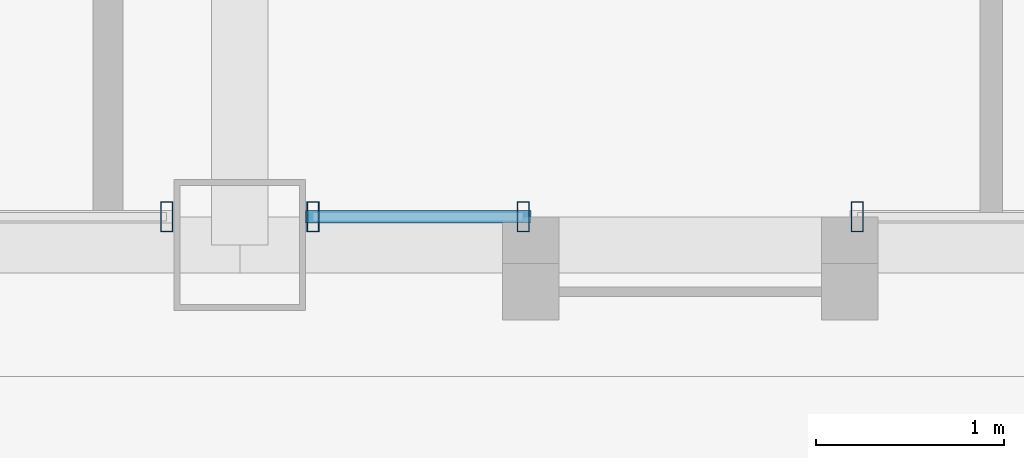
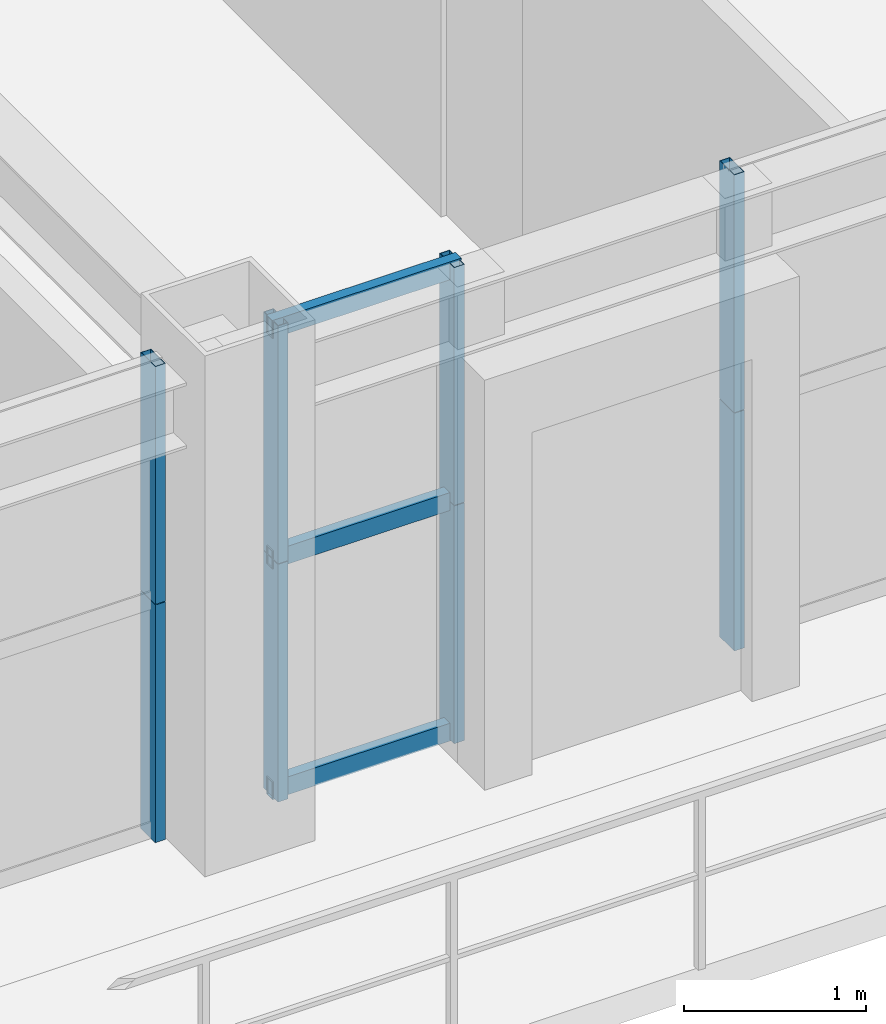
# One storey, part 10 of 36: 11 members, 3 elements without a shape of their own.
"""IFC4 building model written with IfcOpenShell, lengths in metres."""

import ifcopenshell
import ifcopenshell.guid

model = None  # the IFC model being written
_history = None  # IfcOwnerHistory: only IFC2X3 demands one
_inside = {}  # id of a spatial element -> (the spatial element, [elements in it])
_under = {}  # id of a project, library or spatial element -> (it, [spatial elements below it])
_declared = {}  # id of a project -> (the project, [libraries it declares])
_typed = {}  # id of a type object -> (the type object, [elements of that type])
_made_of = {}  # id of a material, layer set ... -> (it, [elements and type objects made of it])


def new_model(schema):
    """Start an empty IFC model of exactly this schema.

    Asked for "IFC4X3", IfcOpenShell would pick the latest addendum, in which some entities
    have other attributes; the version numbers below select the first issue.
    IFC2X3 requires an IfcOwnerHistory on every rooted entity: one is made here for all.
    """
    global model, _history
    if schema == "IFC4X3":
        model = ifcopenshell.file(schema_version=(4, 3, 0, 0))
    else:
        model = ifcopenshell.file(schema=schema)
    _inside.clear()
    _under.clear()
    _declared.clear()
    _typed.clear()
    _made_of.clear()
    _history = None
    if model.schema == "IFC2X3":
        org = make("IfcOrganization", Name="unknown")
        user = make(
            "IfcPersonAndOrganization",
            ThePerson=make("IfcPerson", FamilyName="unknown"),
            TheOrganization=org,
        )
        app = make(
            "IfcApplication",
            ApplicationDeveloper=org,
            Version="unknown",
            ApplicationFullName="unknown",
            ApplicationIdentifier="unknown",
        )
        _history = make(
            "IfcOwnerHistory",
            OwningUser=user,
            OwningApplication=app,
            ChangeAction="ADDED",
            CreationDate=0,
        )
    return model


def make(cls, **values):
    """One entity of the class cls with the attributes given. An attribute that is None is left unset."""
    return model.create_entity(
        cls, **{name: value for name, value in values.items() if value is not None}
    )


def rooted(cls, **values):
    """An entity with a GlobalId (a new one), such as an element, a storey or a relation."""
    return make(cls, GlobalId=ifcopenshell.guid.new(), OwnerHistory=_history, **values)


def si_unit(unit_type, name, prefix=None):
    """IfcSIUnit, for example si_unit("LENGTHUNIT", "METRE", prefix="MILLI")."""
    return make("IfcSIUnit", UnitType=unit_type, Prefix=prefix, Name=name)


def assignment(units):
    """IfcUnitAssignment: the units of a project."""
    return None if units is None else make("IfcUnitAssignment", Units=units)


def point(xyz):
    """IfcCartesianPoint."""
    return None if xyz is None else make("IfcCartesianPoint", Coordinates=xyz)


def direction(xyz):
    """IfcDirection."""
    return None if xyz is None else make("IfcDirection", DirectionRatios=xyz)


def frame(location, z_axis=None, x_axis=None):
    """IfcAxis2Placement3D, a coordinate frame: its origin and axes. An axis left out is left unset."""
    return make(
        "IfcAxis2Placement3D",
        Location=point(location),
        Axis=direction(z_axis),
        RefDirection=direction(x_axis),
    )


def frame_2d(location, x_axis=None):
    """IfcAxis2Placement2D, a coordinate frame in the plane: its origin and x axis."""
    return make(
        "IfcAxis2Placement2D", Location=point(location), RefDirection=direction(x_axis)
    )


def origin():
    """The frame at (0, 0, 0) with its axes left unset."""
    return frame((0.0, 0.0, 0.0))


def origin_2d():
    """The frame at (0, 0) in the plane with its x axis left unset."""
    return frame_2d((0.0, 0.0))


def place(relative_to, where):
    """IfcLocalPlacement: puts the frame where relative to a parent placement (None: the world)."""
    return make(
        "IfcLocalPlacement", PlacementRelTo=relative_to, RelativePlacement=where
    )


def context(
    kind, dimensions, precision=None, world=None, true_north=None, identifier=None
):
    """IfcGeometricRepresentationContext, for example the 3D "Model" context."""
    return make(
        "IfcGeometricRepresentationContext",
        ContextIdentifier=identifier,
        ContextType=kind,
        CoordinateSpaceDimension=dimensions,
        Precision=precision,
        WorldCoordinateSystem=world,
        TrueNorth=true_north,
    )


def subcontext(parent, identifier, kind, view, scale=None):
    """IfcGeometricRepresentationSubContext, for example "Body" below "Model"."""
    return make(
        "IfcGeometricRepresentationSubContext",
        ContextIdentifier=identifier,
        ContextType=kind,
        ParentContext=parent,
        TargetScale=scale,
        TargetView=view,
    )


def project(units=None, contexts=None):
    """IfcProject with its units and contexts."""
    return rooted(
        "IfcProject",
        Name="project",
        RepresentationContexts=contexts,
        UnitsInContext=assignment(units),
    )


def spatial(cls, under=None, at=None, **own):
    """A site, building, storey or space (cls), placed at a placement, below another one or the project."""
    s = rooted(cls, ObjectPlacement=at, **own)
    if under is not None:
        _under.setdefault(under.id(), (under, []))[1].append(s)
    return s


def profile(cls, at=None, kind="AREA", **sizes):
    """A parametric profile (cls). Its sizes go by their IFC names, for example OverallWidth=200.0."""
    return make(cls, ProfileType=kind, Position=at, **sizes)


def hollow_rectangle(**sizes):
    """IfcRectangleHollowProfileDef."""
    return profile("IfcRectangleHollowProfileDef", **sizes)


def extrude(swept, where, along, depth):
    """IfcExtrudedAreaSolid: the profile swept, set in the frame where, extruded along a direction by depth."""
    return make(
        "IfcExtrudedAreaSolid",
        SweptArea=swept,
        Position=where,
        ExtrudedDirection=direction(along),
        Depth=depth,
    )


def shape(context_of_items, identifier, shape_type, items):
    """IfcShapeRepresentation: the items that make up one representation, for example the "Body"."""
    return make(
        "IfcShapeRepresentation",
        ContextOfItems=context_of_items,
        RepresentationIdentifier=identifier,
        RepresentationType=shape_type,
        Items=items,
    )


def source(mapping_origin, context_of_items, identifier, shape_type, items):
    """IfcRepresentationMap: a shape defined once, which mapped items show again and again."""
    return make(
        "IfcRepresentationMap",
        MappingOrigin=mapping_origin,
        MappedRepresentation=shape(context_of_items, identifier, shape_type, items),
    )


def transform(
    local_origin,
    x_axis=None,
    y_axis=None,
    z_axis=None,
    scale=None,
    scale2=None,
    scale3=None,
    uniform=True,
):
    """IfcCartesianTransformationOperator3D, or its non-uniform kind. x_axis, y_axis, z_axis: its Axis1, 2, 3."""
    if uniform:
        return make(
            "IfcCartesianTransformationOperator3D",
            Axis1=direction(x_axis),
            Axis2=direction(y_axis),
            LocalOrigin=point(local_origin),
            Scale=scale,
            Axis3=direction(z_axis),
        )
    return make(
        "IfcCartesianTransformationOperator3DnonUniform",
        Axis1=direction(x_axis),
        Axis2=direction(y_axis),
        LocalOrigin=point(local_origin),
        Scale=scale,
        Axis3=direction(z_axis),
        Scale2=scale2,
        Scale3=scale3,
    )


def mapped(mapping_source, mapping_target):
    """IfcMappedItem: shows the shape of a source again, moved by a transform."""
    return make(
        "IfcMappedItem", MappingSource=mapping_source, MappingTarget=mapping_target
    )


def material(Name=None, Category=None):
    """IfcMaterial."""
    return make("IfcMaterial", Name=Name, Category=Category)


def layer(
    of_material, thickness, ventilated=None, Name=None, Category=None, Priority=None
):
    """IfcMaterialLayer: one layer of a wall or slab, of a material (None: an air gap)."""
    return make(
        "IfcMaterialLayer",
        Material=of_material,
        LayerThickness=thickness,
        IsVentilated=ventilated,
        Name=Name,
        Category=Category,
        Priority=Priority,
    )


def layer_set(layers, Name=None):
    """IfcMaterialLayerSet."""
    return make("IfcMaterialLayerSet", MaterialLayers=layers, LayerSetName=Name)


def material_profile(
    of_material, cross_section, Name=None, Category=None, Priority=None
):
    """IfcMaterialProfile: a cross section and its material."""
    return make(
        "IfcMaterialProfile",
        Name=Name,
        Material=of_material,
        Profile=cross_section,
        Priority=Priority,
        Category=Category,
    )


def profile_set(profiles, Name=None, composite=None):
    """IfcMaterialProfileSet."""
    return make(
        "IfcMaterialProfileSet",
        Name=Name,
        MaterialProfiles=profiles,
        CompositeProfile=composite,
    )


def made_of(thing, what):
    """Note that an element or type object is made of a material, layer set ...; save() writes the relation."""
    if what is not None:
        _made_of.setdefault(what.id(), (what, []))[1].append(thing)
    return thing


def type_object(cls, material=None, **own):
    """A type object (cls), such as IfcWallType, which elements share."""
    return made_of(rooted(cls, **own), material)


def element(
    cls,
    number,
    at=None,
    inside=None,
    cuts=None,
    type_object=None,
    material=None,
    context=None,
    identifier="Body",
    shape_type=None,
    held_by="IfcProductDefinitionShape",
    body=None,
    shapes=None,
    **own,
):
    """One element of the class cls, such as IfcWall. Its Tag is "e" and its number.

    at: its placement. inside: the storey or other place that contains it. cuts: it is an
    opening in that element (IfcRelVoidsElement). A single representation is given by context,
    identifier, shape_type and body (its items); several are given by shapes. held_by: the class
    of the entity that holds the representations. save() writes the other relations.
    """
    e = rooted(cls, Tag="e%d" % number, ObjectPlacement=at, **own)
    if body is not None:
        shapes = [shape(context, identifier, shape_type, body)]
    if shapes is not None:
        e.Representation = make(held_by, Representations=shapes)
    if inside is not None:
        _inside.setdefault(inside.id(), (inside, []))[1].append(e)
    if cuts is not None:
        rooted(
            "IfcRelVoidsElement", RelatingBuildingElement=cuts, RelatedOpeningElement=e
        )
    if type_object is not None:
        _typed.setdefault(type_object.id(), (type_object, []))[1].append(e)
    return made_of(e, material)


def aggregate(whole, parts):
    """IfcRelAggregates: a whole, such as a stair, and the parts it consists of."""
    return rooted("IfcRelAggregates", RelatingObject=whole, RelatedObjects=parts)


def save(model, path):
    """Write the relations noted so far, then the file.

    IfcRelAggregates (storeys below a building ...), IfcRelContainedInSpatialStructure (elements
    in a storey), IfcRelDefinesByType, IfcRelAssociatesMaterial and IfcRelDeclares: one each for
    every whole, place, type object, material and project.
    """
    for whole, parts in _under.values():
        aggregate(whole, parts)
    for where, things in _inside.values():
        rooted(
            "IfcRelContainedInSpatialStructure",
            RelatedElements=things,
            RelatingStructure=where,
        )
    for kind, things in _typed.values():
        rooted("IfcRelDefinesByType", RelatedObjects=things, RelatingType=kind)
    for what, things in _made_of.values():
        rooted("IfcRelAssociatesMaterial", RelatedObjects=things, RelatingMaterial=what)
    for by, libraries in _declared.values():
        rooted("IfcRelDeclares", RelatingContext=by, RelatedDefinitions=libraries)
    model.write(path)


model = new_model("IFC4")

# Units and contexts
model_context = context("Model", 3, precision=1e-05, world=origin(), true_north=direction((0.0, 1.0)))
body_context = subcontext(model_context, "Body", "Model", "MODEL_VIEW")
ifc_project = project(units=[si_unit("LENGTHUNIT", "METRE"), si_unit("AREAUNIT", "SQUARE_METRE"), si_unit("VOLUMEUNIT", "CUBIC_METRE"), si_unit("PLANEANGLEUNIT", "RADIAN"), si_unit("MASSUNIT", "GRAM", prefix="KILO"), si_unit("THERMODYNAMICTEMPERATUREUNIT", "KELVIN"), si_unit("POWERUNIT", "WATT")], contexts=[model_context])

# Site, building, storey
site_placement = place(None, origin())
site = spatial("IfcSite", under=ifc_project, at=site_placement, CompositionType="ELEMENT")
building_placement = place(site_placement, origin())
building = spatial("IfcBuilding", under=site, at=building_placement, Name="Yuzanri Waterfront Tower", CompositionType="ELEMENT")
storey_placement = place(building_placement, frame((0.0, 0.0, 255.60009765625)))
storey = spatial("IfcBuildingStorey", under=building, at=storey_placement, Name="L68", CompositionType="ELEMENT", Elevation=255.60009765625)

# Curtain wall, members
ifc_material_1 = material(Name="Anodized Architectural Bronze", Category="metal")
ifc_layer = layer(ifc_material_1, 0.159912109375)
ifc_layer_set = layer_set([ifc_layer], Name="Anodized Architectural Bronze")
curtain_wall_type = type_object("IfcCurtainWallType", Name="Anodized Bronze Mid-Rise Residential Acoustic Unitized Curtain Wall 7200", PredefinedType="NOTDEFINED", material=ifc_layer_set)
curtain_wall_1_placement = place(storey_placement, origin())
curtain_wall_1 = element("IfcCurtainWall", 1, at=curtain_wall_1_placement, inside=storey, type_object=curtain_wall_type, Name="L68 Curtain Wall CW-L68-SR1", PredefinedType="NOTDEFINED")
ifc_material_2 = material(Name="Anodized Architectural Bronze", Category="metal")
ifc_material_profile_1 = material_profile(ifc_material_2, hollow_rectangle(XDim=0.06494140625, YDim=0.1201171875, WallThickness=0.00341796875, at=origin_2d()), Name="CWT 65x120")
ifc_profile_set_1 = profile_set([ifc_material_profile_1], Name="Anodized Architectural Bronze")
member_type_1 = type_object("IfcMemberType", Name="Anodized Bronze Secondary Curtain-Wall Transom 65x120", PredefinedType="USERDEFINED", material=ifc_profile_set_1)
shared_shape_1 = source(origin(), body_context, "Body", "SweptSolid", [
    extrude(hollow_rectangle(XDim=0.06494140625, YDim=0.1201171875, WallThickness=0.00341796875, at=origin_2d()), origin(), (0.0, 0.0, 1.0), 1.199951171875),
])
member_1_placement = place(storey_placement, frame((37.35009765625, 5.35009765625, 0.0498046875), z_axis=(1.0, 0.0, 0.0), x_axis=(0.0, 1.0, 0.0)))
member_1 = element("IfcMember", 2, at=member_1_placement, type_object=member_type_1, Name="CW-L68-SR1 Transom 1", ObjectType="TRANSOM", PredefinedType="USERDEFINED", context=body_context, shape_type="MappedRepresentation", body=[
    mapped(shared_shape_1, transform((0.0, 0.0, 0.0), scale=1.0)),
])
member_2_placement = place(storey_placement, frame((37.35009765625, 5.35009765625, 1.599853515625), z_axis=(1.0, 0.0, 0.0), x_axis=(0.0, 1.0, 0.0)))
member_2 = element("IfcMember", 3, at=member_2_placement, type_object=member_type_1, Name="CW-L68-SR1 Transom 2", ObjectType="TRANSOM", PredefinedType="USERDEFINED", context=body_context, shape_type="MappedRepresentation", body=[
    mapped(shared_shape_1, transform((0.0, 0.0, 0.0), scale=1.0)),
])
member_3_placement = place(storey_placement, frame((37.35009765625, 5.35009765625, 3.14990234375), z_axis=(1.0, 0.0, 0.0), x_axis=(0.0, 1.0, 0.0)))
member_3 = element("IfcMember", 4, at=member_3_placement, type_object=member_type_1, Name="CW-L68-SR1 Transom 3", ObjectType="TRANSOM", PredefinedType="USERDEFINED", context=body_context, shape_type="MappedRepresentation", body=[
    mapped(shared_shape_1, transform((0.0, 0.0, 0.0), scale=1.0)),
])

# Curtain wall, member
curtain_wall_2_placement = place(storey_placement, origin())
curtain_wall_2 = element("IfcCurtainWall", 5, at=curtain_wall_2_placement, inside=storey, type_object=curtain_wall_type, Name="L68 Curtain Wall CW-L68-SL", PredefinedType="NOTDEFINED")
ifc_material_3 = material(Name="Anodized Architectural Bronze", Category="metal")
ifc_material_profile_2 = material_profile(ifc_material_3, hollow_rectangle(XDim=0.06494140625, YDim=0.159912109375, WallThickness=0.00341796875, at=origin_2d()), Name="CWM 65x160")
ifc_profile_set_2 = profile_set([ifc_material_profile_2], Name="Anodized Architectural Bronze")
member_type_2 = type_object("IfcMemberType", Name="Anodized Bronze Upper-Zone Curtain-Wall Mullion 65x160", PredefinedType="MULLION", material=ifc_profile_set_2)
shared_shape_2 = source(origin(), body_context, "Body", "SweptSolid", [
    extrude(hollow_rectangle(XDim=0.06494140625, YDim=0.159912109375, WallThickness=0.00341796875, at=origin_2d()), origin(), (0.0, 0.0, 1.0), 1.597900390625),
])
member_4_placement = place(storey_placement, frame((36.610107421875, 5.35009765625, 0.0), z_axis=(0.0, 0.0, 1.0), x_axis=(1.0, 0.0, 0.0)))
member_4 = element("IfcMember", 6, at=member_4_placement, type_object=member_type_2, Name="CW-L68-SL Lower Mullion 02", PredefinedType="MULLION", context=body_context, shape_type="MappedRepresentation", body=[
    mapped(shared_shape_2, transform((0.0, 0.0, 0.0), scale=1.0)),
])

# Member
member_5_placement = place(storey_placement, frame((37.389892578125, 5.35009765625, 0.0), z_axis=(0.0, 0.0, 1.0), x_axis=(1.0, 0.0, 0.0)))
member_5 = element("IfcMember", 7, at=member_5_placement, type_object=member_type_2, Name="CW-L68-SR1 Lower Mullion 00", PredefinedType="MULLION", context=body_context, shape_type="MappedRepresentation", body=[
    mapped(shared_shape_2, transform((0.0, 0.0, 0.0), scale=1.0)),
])

member_6_placement = place(storey_placement, frame((38.510009765625, 5.35009765625, 0.0), z_axis=(0.0, 0.0, 1.0), x_axis=(1.0, 0.0, 0.0)))
member_6 = element("IfcMember", 8, at=member_6_placement, type_object=member_type_2, Name="CW-L68-SR1 Lower Mullion 01", PredefinedType="MULLION", context=body_context, shape_type="MappedRepresentation", body=[
    mapped(shared_shape_2, transform((0.0, 0.0, 0.0), scale=1.0)),
])

# Curtain wall, member
curtain_wall_3_placement = place(storey_placement, origin())
curtain_wall_3 = element("IfcCurtainWall", 9, at=curtain_wall_3_placement, inside=storey, type_object=curtain_wall_type, Name="L68 Curtain Wall CW-L68-SR2", PredefinedType="NOTDEFINED")
member_7_placement = place(storey_placement, frame((40.2900390625, 5.35009765625, 0.0), z_axis=(0.0, 0.0, 1.0), x_axis=(1.0, 0.0, 0.0)))
member_7 = element("IfcMember", 10, at=member_7_placement, type_object=member_type_2, Name="CW-L68-SR2 Lower Mullion 00", PredefinedType="MULLION", context=body_context, shape_type="MappedRepresentation", body=[
    mapped(shared_shape_2, transform((0.0, 0.0, 0.0), scale=1.0)),
])

# Member
shared_shape_3 = source(origin(), body_context, "Body", "SweptSolid", [
    extrude(hollow_rectangle(XDim=0.06494140625, YDim=0.159912109375, WallThickness=0.00341796875, at=origin_2d()), origin(), (0.0, 0.0, 1.0), 1.59814453125),
])
member_8_placement = place(storey_placement, frame((36.610107421875, 5.35009765625, 1.601806640625), z_axis=(0.0, 0.0, 1.0), x_axis=(1.0, 0.0, 0.0)))
member_8 = element("IfcMember", 11, at=member_8_placement, type_object=member_type_2, Name="CW-L68-SL Upper Mullion 02", PredefinedType="MULLION", context=body_context, shape_type="MappedRepresentation", body=[
    mapped(shared_shape_3, transform((0.0, 0.0, 0.0), scale=1.0)),
])

aggregate(curtain_wall_2, [member_4, member_8])

member_9_placement = place(storey_placement, frame((37.389892578125, 5.35009765625, 1.601806640625), z_axis=(0.0, 0.0, 1.0), x_axis=(1.0, 0.0, 0.0)))
member_9 = element("IfcMember", 12, at=member_9_placement, type_object=member_type_2, Name="CW-L68-SR1 Upper Mullion 00", PredefinedType="MULLION", context=body_context, shape_type="MappedRepresentation", body=[
    mapped(shared_shape_3, transform((0.0, 0.0, 0.0), scale=1.0)),
])

member_10_placement = place(storey_placement, frame((38.510009765625, 5.35009765625, 1.601806640625), z_axis=(0.0, 0.0, 1.0), x_axis=(1.0, 0.0, 0.0)))
member_10 = element("IfcMember", 13, at=member_10_placement, type_object=member_type_2, Name="CW-L68-SR1 Upper Mullion 01", PredefinedType="MULLION", context=body_context, shape_type="MappedRepresentation", body=[
    mapped(shared_shape_3, transform((0.0, 0.0, 0.0), scale=1.0)),
])

aggregate(curtain_wall_1, [member_5, member_9, member_6, member_10, member_1, member_2, member_3])

member_11_placement = place(storey_placement, frame((40.2900390625, 5.35009765625, 1.601806640625), z_axis=(0.0, 0.0, 1.0), x_axis=(1.0, 0.0, 0.0)))
member_11 = element("IfcMember", 14, at=member_11_placement, type_object=member_type_2, Name="CW-L68-SR2 Upper Mullion 00", PredefinedType="MULLION", context=body_context, shape_type="MappedRepresentation", body=[
    mapped(shared_shape_3, transform((0.0, 0.0, 0.0), scale=1.0)),
])

aggregate(curtain_wall_3, [member_7, member_11])

save(model, "model.ifc")
